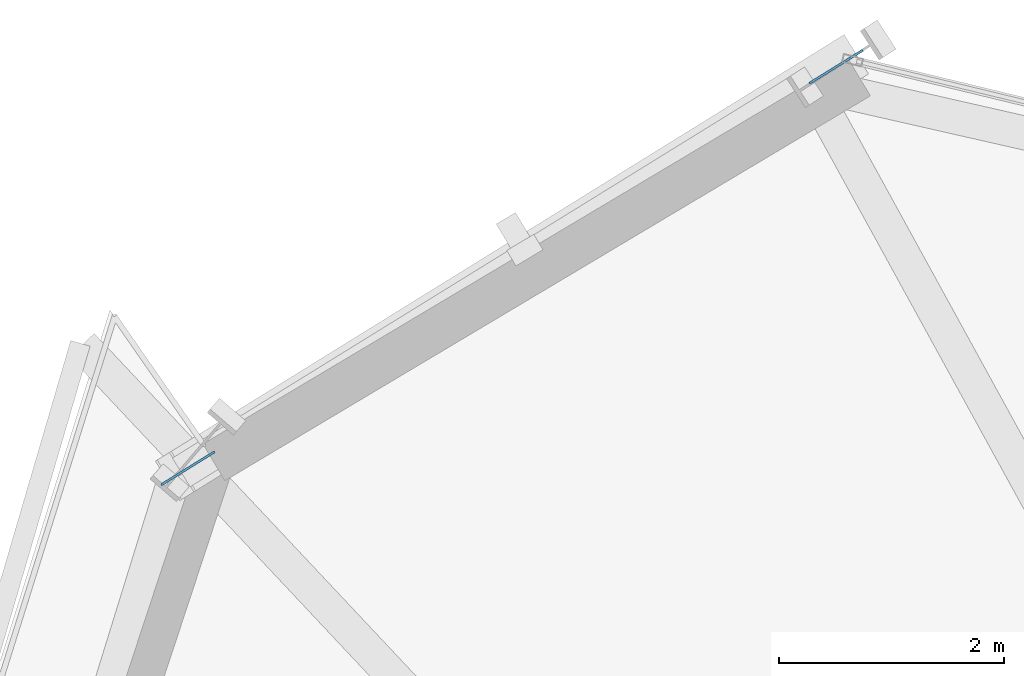
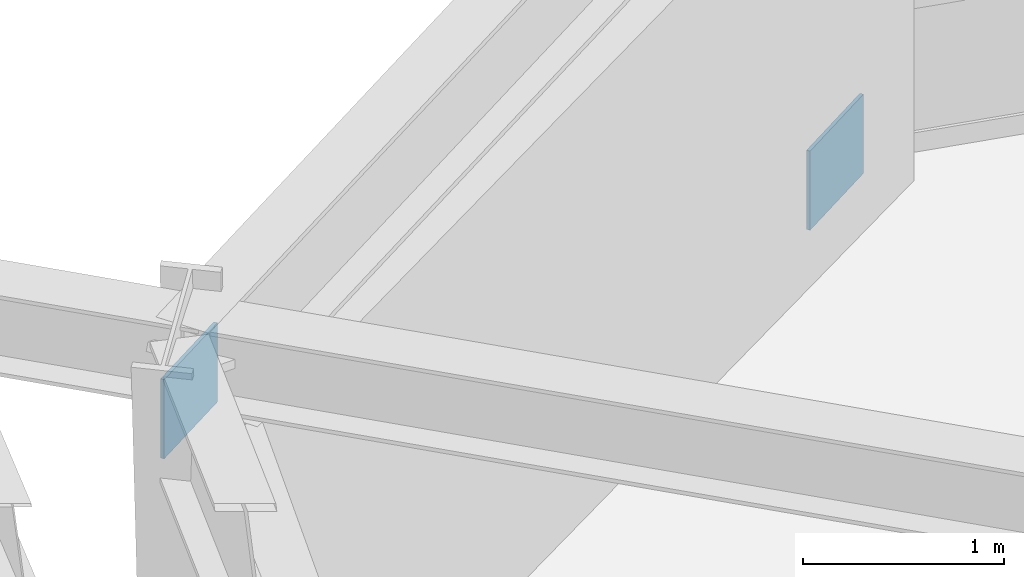
# One storey, part 17 of 24: 2 plates.
"""IFC4 building model written with IfcOpenShell, lengths in metres."""

from ifc_helpers import new_model, si_unit, direction, frame, origin, origin_2d, place, context, subcontext, project, spatial, rectangle, extrude, source, transform, mapped, material, type_object, element, save


model = new_model("IFC4")

# Units and contexts
model_context = context("Model", 3, precision=1e-05, world=origin(), true_north=direction((0.0, 1.0)))
body_context = subcontext(model_context, "Body", "Model", "MODEL_VIEW")
ifc_project = project(units=[si_unit("LENGTHUNIT", "METRE"), si_unit("AREAUNIT", "SQUARE_METRE"), si_unit("VOLUMEUNIT", "CUBIC_METRE"), si_unit("PLANEANGLEUNIT", "RADIAN"), si_unit("MASSUNIT", "GRAM", prefix="KILO")], contexts=[model_context])

# Site, building, storey
site_placement = place(None, origin())
site = spatial("IfcSite", under=ifc_project, at=site_placement, CompositionType="ELEMENT")
building_placement = place(site_placement, origin())
building = spatial("IfcBuilding", under=site, at=building_placement, Name="Olszyna Solenne Hotel", CompositionType="ELEMENT")
storey_placement = place(building_placement, frame((0.0, 0.0, 29.300048828125)))
storey = spatial("IfcBuildingStorey", under=building, at=storey_placement, Name="L06", CompositionType="ELEMENT", Elevation=29.300048828125)

# Plates
ifc_material = material(Name="Steel S355J2", Category="steel")
plate_type = type_object("IfcPlateType", Name="GP-ND2", PredefinedType="USERDEFINED", material=ifc_material)
shared_shape = source(origin(), body_context, "Body", "SweptSolid", [
    extrude(rectangle(XDim=0.56005859375, YDim=0.02001953125, at=origin_2d()), origin(), (0.0, 0.0, 1.0), 0.47998046875),
])
for number, where, z_axis, x_axis, name in (
    (1, (26.35400390625, 48.39501953125, -0.1767578125), (0.0, 0.0, 1.0), (-0.850168489882, -0.52651072051, 0.0), "Brace end connection gusset plate GP-ND2 EP-BR-L06-2-1"),
    (2, (20.588623046875, 44.82421875, 2.62158203125), (0.0, 0.0, 1.0), (-0.850168489882, -0.52651072051, 0.0), "Brace end connection gusset plate GP-ND2 EP-BR-L06-2-2"),
):
    element("IfcPlate", number, at=place(storey_placement, frame(where, z_axis=z_axis, x_axis=x_axis)), inside=storey, type_object=plate_type, Name=name, ObjectType="GUSSET_PLATE", PredefinedType="USERDEFINED", context=body_context, shape_type="MappedRepresentation", body=[
        mapped(shared_shape, transform((0.0, 0.0, 0.0), x_axis=(1.0, 0.0, 0.0), y_axis=(0.0, 1.0, 0.0), z_axis=(0.0, 0.0, 1.0), scale=1.0)),
    ])

save(model, "model.ifc")
